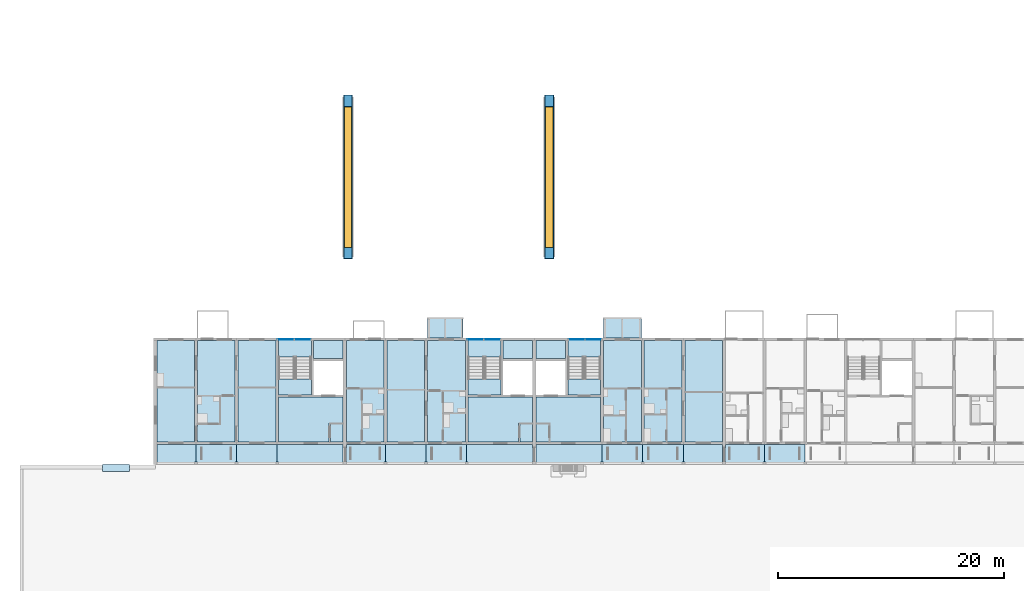
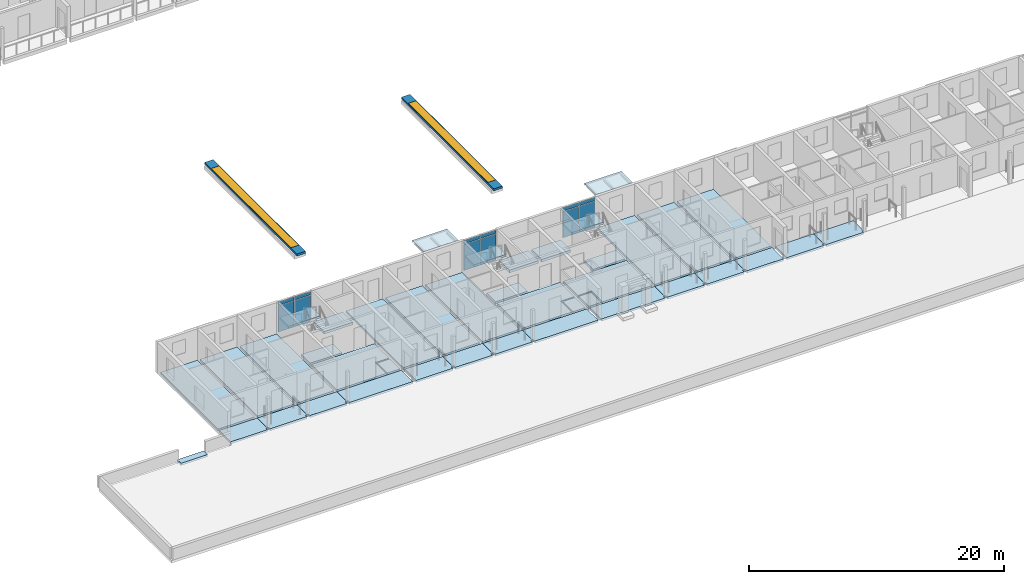
# One storey, part 31 of 115: 43 slabs, 12 plates, 2 windows, 2 openings, 6 elements without a shape of their own.
"""IFC4 building model written with IfcOpenShell, lengths in metres."""

from ifc_helpers import new_model, si_unit, direction, frame, origin, origin_2d, place, context, subcontext, project, spatial, polyline, rectangle, outline, extrude, material, layer, layer_set, type_object, element, fill, aggregate, save


model = new_model("IFC4")

# Units and contexts
model_context = context("Model", 3, precision=1e-05, world=origin(), true_north=direction((0.0, 1.0)))
body_context = subcontext(model_context, "Body", "Model", "MODEL_VIEW")
ifc_project = project(units=[si_unit("LENGTHUNIT", "METRE"), si_unit("AREAUNIT", "SQUARE_METRE"), si_unit("VOLUMEUNIT", "CUBIC_METRE"), si_unit("PLANEANGLEUNIT", "RADIAN"), si_unit("MASSUNIT", "GRAM", prefix="KILO")], contexts=[model_context])

# Site, building, storey
site_placement = place(None, origin())
site = spatial("IfcSite", under=ifc_project, at=site_placement, CompositionType="ELEMENT")
building_placement = place(site_placement, origin())
building = spatial("IfcBuilding", under=site, at=building_placement, Name="Ridgestep Commons", CompositionType="ELEMENT")
storey_placement = place(building_placement, frame((0.0, 0.0, 6.0)))
storey = spatial("IfcBuildingStorey", under=building, at=storey_placement, Name="L02", CompositionType="ELEMENT", Elevation=6.0)

# Slabs
ifc_material_1 = material(Name="Concrete C30/37", Category="concrete")
ifc_layer_1 = layer(ifc_material_1, 0.199951171875)
ifc_layer_set_1 = layer_set([ifc_layer_1], Name="Community stair landing slab 200")
slab_type_1 = type_object("IfcSlabType", Name="Community stair landing slab 200", PredefinedType="LANDING", material=ifc_layer_set_1)
slab_1_placement = place(storey_placement, frame((0.0, 0.0, -0.199951171875)))
element("IfcSlab", 1, at=slab_1_placement, inside=storey, type_object=slab_type_1, Name="Arrival landing", PredefinedType="LANDING", context=body_context, shape_type="SweptSolid", body=[
    extrude(outline(polyline([(7.300048828125, 11.14990234375), (9.699951171875, 11.14990234375), (9.699951171875, 11.75), (7.300048828125, 11.75), (7.300048828125, 11.14990234375)])), origin(), (0.0, 0.0, 1.0), 0.199951171875),
])
ifc_material_2 = material(Name="Precast concrete C40/50", Category="concrete")
ifc_layer_2 = layer(ifc_material_2, 0.199951171875)
ifc_layer_set_2 = layer_set([ifc_layer_2], Name="Gallery slab 200")
slab_type_2 = type_object("IfcSlabType", Name="Gallery slab 200", PredefinedType="FLOOR", material=ifc_layer_set_2)
slab_2_placement = place(storey_placement, frame((0.0, 0.0, -0.199951171875)))
element("IfcSlab", 2, at=slab_2_placement, inside=storey, type_object=slab_type_2, Name="Gallery slab A1 L02", PredefinedType="FLOOR", context=body_context, shape_type="SweptSolid", body=[
    extrude(outline(polyline([(12.14990234375, 11.75), (15.47509765625, 11.75), (15.47509765625, 12.0), (15.60009765625, 12.0), (15.60009765625, 13.550048828125), (12.14990234375, 13.550048828125), (12.14990234375, 11.75)])), origin(), (0.0, 0.0, 1.0), 0.199951171875),
])
slab_3_placement = place(storey_placement, frame((0.0, 0.0, -0.199951171875)))
element("IfcSlab", 3, at=slab_3_placement, inside=storey, type_object=slab_type_2, Name="Gallery slab A1 L02", PredefinedType="FLOOR", context=body_context, shape_type="SweptSolid", body=[
    extrude(outline(polyline([(19.199951171875, 13.550048828125), (15.60009765625, 13.550048828125), (15.60009765625, 12.0), (15.72509765625, 12.0), (15.72509765625, 11.75), (19.074951171875, 11.75), (19.074951171875, 12.0), (19.199951171875, 12.0), (19.199951171875, 13.550048828125)])), origin(), (0.0, 0.0, 1.0), 0.199951171875),
])
slab_4_placement = place(storey_placement, frame((0.0, 0.0, -0.199951171875)))
element("IfcSlab", 4, at=slab_4_placement, inside=storey, type_object=slab_type_2, Name="Gallery slab A1 L02", PredefinedType="FLOOR", context=body_context, shape_type="SweptSolid", body=[
    extrude(outline(polyline([(22.800048828125, 13.550048828125), (19.199951171875, 13.550048828125), (19.199951171875, 12.0), (19.324951171875, 12.0), (19.324951171875, 11.75), (22.675048828125, 11.75), (22.675048828125, 12.0), (22.800048828125, 12.0), (22.800048828125, 13.550048828125)])), origin(), (0.0, 0.0, 1.0), 0.199951171875),
])
slab_5_placement = place(storey_placement, frame((0.0, 0.0, -0.199951171875)))
element("IfcSlab", 5, at=slab_5_placement, inside=storey, type_object=slab_type_2, Name="Gallery slab A1 L02", PredefinedType="FLOOR", context=body_context, shape_type="SweptSolid", body=[
    extrude(outline(polyline([(22.800048828125, 13.550048828125), (22.800048828125, 12.0), (22.925048828125, 12.0), (22.925048828125, 11.75), (28.64990234375, 11.75), (28.64990234375, 13.550048828125), (22.800048828125, 13.550048828125)])), origin(), (0.0, 0.0, 1.0), 0.199951171875),
])
slab_6_placement = place(storey_placement, frame((0.0, 0.0, -0.199951171875)))
element("IfcSlab", 6, at=slab_6_placement, inside=storey, type_object=slab_type_2, Name="Gallery slab A2 L02", PredefinedType="FLOOR", context=body_context, shape_type="SweptSolid", body=[
    extrude(outline(polyline([(28.949951171875, 11.75), (32.27490234375, 11.75), (32.27490234375, 12.0), (32.39990234375, 12.0), (32.39990234375, 13.550048828125), (28.949951171875, 13.550048828125), (28.949951171875, 11.75)])), origin(), (0.0, 0.0, 1.0), 0.199951171875),
])
slab_7_placement = place(storey_placement, frame((0.0, 0.0, -0.199951171875)))
element("IfcSlab", 7, at=slab_7_placement, inside=storey, type_object=slab_type_2, Name="Gallery slab A2 L02", PredefinedType="FLOOR", context=body_context, shape_type="SweptSolid", body=[
    extrude(outline(polyline([(36.0, 13.550048828125), (32.39990234375, 13.550048828125), (32.39990234375, 12.0), (32.52490234375, 12.0), (32.52490234375, 11.75), (35.875, 11.75), (35.875, 12.0), (36.0, 12.0), (36.0, 13.550048828125)])), origin(), (0.0, 0.0, 1.0), 0.199951171875),
])
slab_8_placement = place(storey_placement, frame((0.0, 0.0, -0.199951171875)))
element("IfcSlab", 8, at=slab_8_placement, inside=storey, type_object=slab_type_2, Name="Gallery slab A2 L02", PredefinedType="FLOOR", context=body_context, shape_type="SweptSolid", body=[
    extrude(outline(polyline([(39.60009765625, 13.550048828125), (36.0, 13.550048828125), (36.0, 12.0), (36.125, 12.0), (36.125, 11.75), (39.47509765625, 11.75), (39.47509765625, 12.0), (39.60009765625, 12.0), (39.60009765625, 13.550048828125)])), origin(), (0.0, 0.0, 1.0), 0.199951171875),
])
slab_9_placement = place(storey_placement, frame((0.0, 0.0, -0.199951171875)))
element("IfcSlab", 9, at=slab_9_placement, inside=storey, type_object=slab_type_2, Name="Gallery slab A2 L02", PredefinedType="FLOOR", context=body_context, shape_type="SweptSolid", body=[
    extrude(outline(polyline([(39.60009765625, 13.550048828125), (39.60009765625, 12.0), (39.72509765625, 12.0), (39.72509765625, 11.75), (45.449951171875, 11.75), (45.449951171875, 13.550048828125), (39.60009765625, 13.550048828125)])), origin(), (0.0, 0.0, 1.0), 0.199951171875),
])
slab_10_placement = place(storey_placement, frame((0.0, 0.0, -0.199951171875)))
element("IfcSlab", 10, at=slab_10_placement, inside=storey, type_object=slab_type_2, Name="Gallery slab A3 L02", PredefinedType="FLOOR", context=body_context, shape_type="SweptSolid", body=[
    extrude(outline(polyline([(45.75, 11.75), (51.47509765625, 11.75), (51.47509765625, 12.0), (51.60009765625, 12.0), (51.60009765625, 13.550048828125), (45.75, 13.550048828125), (45.75, 11.75)])), origin(), (0.0, 0.0, 1.0), 0.199951171875),
])
slab_11_placement = place(storey_placement, frame((0.0, 0.0, -0.199951171875)))
element("IfcSlab", 11, at=slab_11_placement, inside=storey, type_object=slab_type_2, Name="Gallery slab A3 L02", PredefinedType="FLOOR", context=body_context, shape_type="SweptSolid", body=[
    extrude(outline(polyline([(55.199951171875, 13.550048828125), (51.60009765625, 13.550048828125), (51.60009765625, 12.0), (51.72509765625, 12.0), (51.72509765625, 11.75), (55.074951171875, 11.75), (55.074951171875, 12.0), (55.199951171875, 12.0), (55.199951171875, 13.550048828125)])), origin(), (0.0, 0.0, 1.0), 0.199951171875),
])
slab_12_placement = place(storey_placement, frame((0.0, 0.0, -0.199951171875)))
element("IfcSlab", 12, at=slab_12_placement, inside=storey, type_object=slab_type_2, Name="Gallery slab A3 L02", PredefinedType="FLOOR", context=body_context, shape_type="SweptSolid", body=[
    extrude(outline(polyline([(58.800048828125, 13.550048828125), (55.199951171875, 13.550048828125), (55.199951171875, 12.0), (55.324951171875, 12.0), (55.324951171875, 11.75), (58.675048828125, 11.75), (58.675048828125, 12.0), (58.800048828125, 12.0), (58.800048828125, 13.550048828125)])), origin(), (0.0, 0.0, 1.0), 0.199951171875),
])
slab_13_placement = place(storey_placement, frame((0.0, 0.0, -0.199951171875)))
element("IfcSlab", 13, at=slab_13_placement, inside=storey, type_object=slab_type_2, Name="Gallery slab A3 L02", PredefinedType="FLOOR", context=body_context, shape_type="SweptSolid", body=[
    extrude(outline(polyline([(58.800048828125, 13.550048828125), (58.800048828125, 12.0), (58.925048828125, 12.0), (58.925048828125, 11.75), (62.25, 11.75), (62.25, 13.550048828125), (58.800048828125, 13.550048828125)])), origin(), (0.0, 0.0, 1.0), 0.199951171875),
])
slab_14_placement = place(storey_placement, frame((0.0, 0.0, -0.199951171875)))
element("IfcSlab", 14, at=slab_14_placement, inside=storey, type_object=slab_type_2, Name="Gallery slab A4 L02", PredefinedType="FLOOR", context=body_context, shape_type="SweptSolid", body=[
    extrude(outline(polyline([(62.550048828125, 11.75), (65.875, 11.75), (65.875, 12.0), (66.0, 12.0), (66.0, 13.550048828125), (62.550048828125, 13.550048828125), (62.550048828125, 11.75)])), origin(), (0.0, 0.0, 1.0), 0.199951171875),
])
slab_15_placement = place(storey_placement, frame((0.0, 0.0, -0.199951171875)))
element("IfcSlab", 15, at=slab_15_placement, inside=storey, type_object=slab_type_2, Name="Gallery slab A4 L02", PredefinedType="FLOOR", context=body_context, shape_type="SweptSolid", body=[
    extrude(outline(polyline([(69.60009765625, 13.550048828125), (66.0, 13.550048828125), (66.0, 12.0), (66.125, 12.0), (66.125, 11.75), (69.47509765625, 11.75), (69.47509765625, 12.0), (69.60009765625, 12.0), (69.60009765625, 13.550048828125)])), origin(), (0.0, 0.0, 1.0), 0.199951171875),
])

# Curtain wall, plates
ifc_material_3 = material(Name="Aluminium 6063-T6 and glass", Category="aluminium")
curtain_wall_type = type_object("IfcCurtainWallType", Name="Curtain wall stair strip", PredefinedType="NOTDEFINED", material=ifc_material_3)
curtain_wall_1_placement = place(storey_placement, origin())
curtain_wall_1 = element("IfcCurtainWall", 16, at=curtain_wall_1_placement, inside=storey, type_object=curtain_wall_type, Name="Curtain wall A1C level 02", PredefinedType="NOTDEFINED")
ifc_material_4 = material(Name="Glass laminated 6/16/6 low-emissivity", Category="glass")
ifc_layer_3 = layer(ifc_material_4, 0.028076171875)
ifc_layer_set_3 = layer_set([ifc_layer_3], Name="Glazing panel 28")
plate_type_1 = type_object("IfcPlateType", Name="Glazing panel 28", PredefinedType="CURTAIN_PANEL", material=ifc_layer_set_3)
plate_1_placement = place(storey_placement, frame((23.5712890625, 22.830078125, 0.06005859375), z_axis=(0.0, 0.0, 1.0), x_axis=(1.0, 0.0, 0.0)))
plate_1 = element("IfcPlate", 17, at=plate_1_placement, type_object=plate_type_1, Name="CW1 panel 1.1", PredefinedType="CURTAIN_PANEL", context=body_context, shape_type="SweptSolid", body=[
    extrude(rectangle(XDim=1.422607421875, YDim=0.028076171875, at=origin_2d()), origin(), (0.0, 0.0, 1.0), 2.5),
])
plate_2_placement = place(storey_placement, frame((25.0537109375, 22.830078125, 0.06005859375), z_axis=(0.0, 0.0, 1.0), x_axis=(1.0, 0.0, 0.0)))
plate_2 = element("IfcPlate", 18, at=plate_2_placement, type_object=plate_type_1, Name="CW1 panel 2.1", PredefinedType="CURTAIN_PANEL", context=body_context, shape_type="SweptSolid", body=[
    extrude(rectangle(XDim=1.422607421875, YDim=0.028076171875, at=origin_2d()), origin(), (0.0, 0.0, 1.0), 2.5),
])

curtain_wall_2_placement = place(storey_placement, origin())
curtain_wall_2 = element("IfcCurtainWall", 19, at=curtain_wall_2_placement, inside=storey, type_object=curtain_wall_type, Name="Curtain wall A2C level 02", PredefinedType="NOTDEFINED")
plate_3_placement = place(storey_placement, frame((40.371337890625, 22.830078125, 0.06005859375), z_axis=(0.0, 0.0, 1.0), x_axis=(1.0, 0.0, 0.0)))
plate_3 = element("IfcPlate", 20, at=plate_3_placement, type_object=plate_type_1, Name="CW1 panel 1.1", PredefinedType="CURTAIN_PANEL", context=body_context, shape_type="SweptSolid", body=[
    extrude(rectangle(XDim=1.422607421875, YDim=0.028076171875, at=origin_2d()), origin(), (0.0, 0.0, 1.0), 2.5),
])
plate_4_placement = place(storey_placement, frame((41.853759765625, 22.830078125, 0.06005859375), z_axis=(0.0, 0.0, 1.0), x_axis=(1.0, 0.0, 0.0)))
plate_4 = element("IfcPlate", 21, at=plate_4_placement, type_object=plate_type_1, Name="CW1 panel 2.1", PredefinedType="CURTAIN_PANEL", context=body_context, shape_type="SweptSolid", body=[
    extrude(rectangle(XDim=1.422607421875, YDim=0.028076171875, at=origin_2d()), origin(), (0.0, 0.0, 1.0), 2.5),
])

curtain_wall_3_placement = place(storey_placement, origin())
curtain_wall_3 = element("IfcCurtainWall", 22, at=curtain_wall_3_placement, inside=storey, type_object=curtain_wall_type, Name="Curtain wall A3C level 02", PredefinedType="NOTDEFINED")
plate_5_placement = place(storey_placement, frame((49.34619140625, 22.830078125, 0.06005859375), z_axis=(0.0, 0.0, 1.0), x_axis=(1.0, 0.0, 0.0)))
plate_5 = element("IfcPlate", 23, at=plate_5_placement, type_object=plate_type_1, Name="CW1 panel 1.1", PredefinedType="CURTAIN_PANEL", context=body_context, shape_type="SweptSolid", body=[
    extrude(rectangle(XDim=1.422607421875, YDim=0.028076171875, at=origin_2d()), origin(), (0.0, 0.0, 1.0), 2.5),
])
plate_6_placement = place(storey_placement, frame((50.828857421875, 22.830078125, 0.06005859375), z_axis=(0.0, 0.0, 1.0), x_axis=(1.0, 0.0, 0.0)))
plate_6 = element("IfcPlate", 24, at=plate_6_placement, type_object=plate_type_1, Name="CW1 panel 2.1", PredefinedType="CURTAIN_PANEL", context=body_context, shape_type="SweptSolid", body=[
    extrude(rectangle(XDim=1.422607421875, YDim=0.028076171875, at=origin_2d()), origin(), (0.0, 0.0, 1.0), 2.5),
])

# Slabs
ifc_material_5 = material(Name="Precast concrete C50/60", Category="concrete")
ifc_layer_4 = layer(ifc_material_5, 0.199951171875)
ifc_layer_set_4 = layer_set([ifc_layer_4], Name="Hollow-core plank 200")
slab_type_3 = type_object("IfcSlabType", Name="Hollow-core plank 200", PredefinedType="FLOOR", material=ifc_layer_set_4)
slab_16_placement = place(storey_placement, frame((0.0, 0.0, -0.199951171875)))
element("IfcSlab", 25, at=slab_16_placement, inside=storey, type_object=slab_type_3, Name="Floor plank A1T1 L02", PredefinedType="FLOOR", context=body_context, shape_type="SweptSolid", body=[
    extrude(outline(polyline([(15.47509765625, 13.75), (15.47509765625, 22.75), (12.14990234375, 22.75), (12.14990234375, 13.75), (15.47509765625, 13.75)])), origin(), (0.0, 0.0, 1.0), 0.199951171875),
])
slab_17_placement = place(storey_placement, frame((0.0, 0.0, -0.199951171875)))
element("IfcSlab", 26, at=slab_17_placement, inside=storey, type_object=slab_type_3, Name="Floor plank A1T2 L02", PredefinedType="FLOOR", context=body_context, shape_type="SweptSolid", body=[
    extrude(outline(polyline([(19.074951171875, 13.75), (19.074951171875, 22.75), (15.72509765625, 22.75), (15.72509765625, 13.75), (19.074951171875, 13.75)])), origin(), (0.0, 0.0, 1.0), 0.199951171875),
])
slab_18_placement = place(storey_placement, frame((0.0, 0.0, -0.199951171875)))
element("IfcSlab", 27, at=slab_18_placement, inside=storey, type_object=slab_type_3, Name="Floor plank A1T3 L02", PredefinedType="FLOOR", context=body_context, shape_type="SweptSolid", body=[
    extrude(outline(polyline([(22.675048828125, 13.75), (22.675048828125, 22.75), (19.324951171875, 22.75), (19.324951171875, 13.75), (22.675048828125, 13.75)])), origin(), (0.0, 0.0, 1.0), 0.199951171875),
])
slab_19_placement = place(storey_placement, frame((0.0, 0.0, -0.199951171875)))
element("IfcSlab", 28, at=slab_19_placement, inside=storey, type_object=slab_type_3, Name="Floor plank A2T1 L02", PredefinedType="FLOOR", context=body_context, shape_type="SweptSolid", body=[
    extrude(outline(polyline([(32.27490234375, 13.75), (32.27490234375, 22.75), (28.949951171875, 22.75), (28.949951171875, 13.75), (32.27490234375, 13.75)])), origin(), (0.0, 0.0, 1.0), 0.199951171875),
])
slab_20_placement = place(storey_placement, frame((0.0, 0.0, -0.199951171875)))
element("IfcSlab", 29, at=slab_20_placement, inside=storey, type_object=slab_type_3, Name="Floor plank A2T2 L02", PredefinedType="FLOOR", context=body_context, shape_type="SweptSolid", body=[
    extrude(outline(polyline([(35.875, 13.75), (35.875, 22.75), (32.52490234375, 22.75), (32.52490234375, 13.75), (35.875, 13.75)])), origin(), (0.0, 0.0, 1.0), 0.199951171875),
])
slab_21_placement = place(storey_placement, frame((0.0, 0.0, -0.199951171875)))
element("IfcSlab", 30, at=slab_21_placement, inside=storey, type_object=slab_type_3, Name="Floor plank A2T3 L02", PredefinedType="FLOOR", context=body_context, shape_type="SweptSolid", body=[
    extrude(outline(polyline([(39.47509765625, 13.75), (39.47509765625, 22.75), (36.125, 22.75), (36.125, 13.75), (39.47509765625, 13.75)])), origin(), (0.0, 0.0, 1.0), 0.199951171875),
])
slab_22_placement = place(storey_placement, frame((0.0, 0.0, -0.199951171875)))
element("IfcSlab", 31, at=slab_22_placement, inside=storey, type_object=slab_type_3, Name="Floor plank A3T3 L02", PredefinedType="FLOOR", context=body_context, shape_type="SweptSolid", body=[
    extrude(outline(polyline([(55.074951171875, 13.75), (55.074951171875, 22.75), (51.72509765625, 22.75), (51.72509765625, 13.75), (55.074951171875, 13.75)])), origin(), (0.0, 0.0, 1.0), 0.199951171875),
])
slab_23_placement = place(storey_placement, frame((0.0, 0.0, -0.199951171875)))
element("IfcSlab", 32, at=slab_23_placement, inside=storey, type_object=slab_type_3, Name="Floor plank A3T2 L02", PredefinedType="FLOOR", context=body_context, shape_type="SweptSolid", body=[
    extrude(outline(polyline([(58.675048828125, 13.75), (58.675048828125, 22.75), (55.324951171875, 22.75), (55.324951171875, 13.75), (58.675048828125, 13.75)])), origin(), (0.0, 0.0, 1.0), 0.199951171875),
])
slab_24_placement = place(storey_placement, frame((0.0, 0.0, -0.199951171875)))
element("IfcSlab", 33, at=slab_24_placement, inside=storey, type_object=slab_type_3, Name="Floor plank A3T1 L02", PredefinedType="FLOOR", context=body_context, shape_type="SweptSolid", body=[
    extrude(outline(polyline([(62.25, 13.75), (62.25, 22.75), (58.925048828125, 22.75), (58.925048828125, 13.75), (62.25, 13.75)])), origin(), (0.0, 0.0, 1.0), 0.199951171875),
])
ifc_material_6 = material(Name="Precast concrete C50/60", Category="concrete")
ifc_layer_5 = layer(ifc_material_6, 0.25)
ifc_layer_set_5 = layer_set([ifc_layer_5], Name="Hollow-core plank 250")
slab_type_4 = type_object("IfcSlabType", Name="Hollow-core plank 250", PredefinedType="FLOOR", material=ifc_layer_set_5)
slab_25_placement = place(storey_placement, frame((0.0, 0.0, -0.25)))
element("IfcSlab", 34, at=slab_25_placement, inside=storey, type_object=slab_type_4, Name="Floor plank A1C L02", PredefinedType="FLOOR", context=body_context, shape_type="SweptSolid", body=[
    extrude(outline(polyline([(27.52001953125, 15.469970703125), (28.64990234375, 15.469970703125), (28.64990234375, 17.75), (22.925048828125, 17.75), (22.925048828125, 13.75), (27.39990234375, 13.75), (27.39990234375, 15.469970703125), (27.52001953125, 15.469970703125)])), origin(), (0.0, 0.0, 1.0), 0.25),
])
slab_26_placement = place(storey_placement, frame((0.0, 0.0, -0.25)))
element("IfcSlab", 35, at=slab_26_placement, inside=storey, type_object=slab_type_4, Name="Floor plank A1C L02", PredefinedType="FLOOR", context=body_context, shape_type="SweptSolid", body=[
    extrude(outline(polyline([(28.64990234375, 21.14990234375), (28.64990234375, 22.75), (26.02490234375, 22.75), (26.02490234375, 21.14990234375), (28.64990234375, 21.14990234375)])), origin(), (0.0, 0.0, 1.0), 0.25),
])
slab_27_placement = place(storey_placement, frame((0.0, 0.0, -0.25)))
element("IfcSlab", 36, at=slab_27_placement, inside=storey, type_object=slab_type_4, Name="Floor plank A1C L02", PredefinedType="FLOOR", context=body_context, shape_type="SweptSolid", body=[
    extrude(outline(polyline([(25.824951171875, 17.949951171875), (25.824951171875, 19.35009765625), (22.925048828125, 19.35009765625), (22.925048828125, 17.949951171875), (25.824951171875, 17.949951171875)])), origin(), (0.0, 0.0, 1.0), 0.25),
])
slab_28_placement = place(storey_placement, frame((0.0, 0.0, -0.25)))
element("IfcSlab", 37, at=slab_28_placement, inside=storey, type_object=slab_type_4, Name="Floor plank A1C L02", PredefinedType="FLOOR", context=body_context, shape_type="SweptSolid", body=[
    extrude(outline(polyline([(27.52001953125, 13.75), (28.64990234375, 13.75), (28.64990234375, 15.35009765625), (27.52001953125, 15.35009765625), (27.52001953125, 13.75)])), origin(), (0.0, 0.0, 1.0), 0.25),
])
slab_29_placement = place(storey_placement, frame((0.0, 0.0, -0.25)))
element("IfcSlab", 38, at=slab_29_placement, inside=storey, type_object=slab_type_4, Name="Floor plank A2C L02", PredefinedType="FLOOR", context=body_context, shape_type="SweptSolid", body=[
    extrude(outline(polyline([(44.320068359375, 15.469970703125), (45.449951171875, 15.469970703125), (45.449951171875, 17.75), (39.72509765625, 17.75), (39.72509765625, 13.75), (44.199951171875, 13.75), (44.199951171875, 15.469970703125), (44.320068359375, 15.469970703125)])), origin(), (0.0, 0.0, 1.0), 0.25),
])
slab_30_placement = place(storey_placement, frame((0.0, 0.0, -0.25)))
element("IfcSlab", 39, at=slab_30_placement, inside=storey, type_object=slab_type_4, Name="Floor plank A2C L02", PredefinedType="FLOOR", context=body_context, shape_type="SweptSolid", body=[
    extrude(outline(polyline([(45.449951171875, 21.14990234375), (45.449951171875, 22.75), (42.824951171875, 22.75), (42.824951171875, 21.14990234375), (45.449951171875, 21.14990234375)])), origin(), (0.0, 0.0, 1.0), 0.25),
])
slab_31_placement = place(storey_placement, frame((0.0, 0.0, -0.25)))
element("IfcSlab", 40, at=slab_31_placement, inside=storey, type_object=slab_type_4, Name="Floor plank A2C L02", PredefinedType="FLOOR", context=body_context, shape_type="SweptSolid", body=[
    extrude(outline(polyline([(42.625, 17.949951171875), (42.625, 19.35009765625), (39.72509765625, 19.35009765625), (39.72509765625, 17.949951171875), (42.625, 17.949951171875)])), origin(), (0.0, 0.0, 1.0), 0.25),
])
slab_32_placement = place(storey_placement, frame((0.0, 0.0, -0.25)))
element("IfcSlab", 41, at=slab_32_placement, inside=storey, type_object=slab_type_4, Name="Floor plank A2C L02", PredefinedType="FLOOR", context=body_context, shape_type="SweptSolid", body=[
    extrude(outline(polyline([(44.320068359375, 13.75), (45.449951171875, 13.75), (45.449951171875, 15.35009765625), (44.320068359375, 15.35009765625), (44.320068359375, 13.75)])), origin(), (0.0, 0.0, 1.0), 0.25),
])
slab_33_placement = place(storey_placement, frame((0.0, 0.0, -0.25)))
element("IfcSlab", 42, at=slab_33_placement, inside=storey, type_object=slab_type_4, Name="Floor plank A3C L02", PredefinedType="FLOOR", context=body_context, shape_type="SweptSolid", body=[
    extrude(outline(polyline([(47.0, 13.75), (51.47509765625, 13.75), (51.47509765625, 17.75), (45.75, 17.75), (45.75, 15.469970703125), (46.8798828125, 15.469970703125), (47.0, 15.469970703125), (47.0, 13.75)])), origin(), (0.0, 0.0, 1.0), 0.25),
])
slab_34_placement = place(storey_placement, frame((0.0, 0.0, -0.25)))
element("IfcSlab", 43, at=slab_34_placement, inside=storey, type_object=slab_type_4, Name="Floor plank A3C L02", PredefinedType="FLOOR", context=body_context, shape_type="SweptSolid", body=[
    extrude(outline(polyline([(48.375, 22.75), (45.75, 22.75), (45.75, 21.14990234375), (48.375, 21.14990234375), (48.375, 22.75)])), origin(), (0.0, 0.0, 1.0), 0.25),
])
slab_35_placement = place(storey_placement, frame((0.0, 0.0, -0.25)))
element("IfcSlab", 44, at=slab_35_placement, inside=storey, type_object=slab_type_4, Name="Floor plank A3C L02", PredefinedType="FLOOR", context=body_context, shape_type="SweptSolid", body=[
    extrude(outline(polyline([(51.47509765625, 17.949951171875), (51.47509765625, 19.35009765625), (48.574951171875, 19.35009765625), (48.574951171875, 17.949951171875), (51.47509765625, 17.949951171875)])), origin(), (0.0, 0.0, 1.0), 0.25),
])
slab_36_placement = place(storey_placement, frame((0.0, 0.0, -0.25)))
element("IfcSlab", 45, at=slab_36_placement, inside=storey, type_object=slab_type_4, Name="Floor plank A3C L02", PredefinedType="FLOOR", context=body_context, shape_type="SweptSolid", body=[
    extrude(outline(polyline([(46.8798828125, 15.35009765625), (45.75, 15.35009765625), (45.75, 13.75), (46.8798828125, 13.75), (46.8798828125, 15.35009765625)])), origin(), (0.0, 0.0, 1.0), 0.25),
])

# Slab, opening, window
ifc_material_7 = material(Name="Precast concrete C50/60", Category="concrete")
ifc_layer_6 = layer(ifc_material_7, 0.199951171875)
ifc_layer_set_6 = layer_set([ifc_layer_6], Name="Nursery ridge strip 200")
slab_type_5 = type_object("IfcSlabType", Name="Nursery ridge strip 200", PredefinedType="ROOF", material=ifc_layer_set_6)
slab_37_placement = place(storey_placement, frame((0.0, 0.0, 0.9287109375)))
slab_37 = element("IfcSlab", 46, at=slab_37_placement, inside=storey, type_object=slab_type_5, Name="Nursery ridge strip", PredefinedType="ROOF", context=body_context, shape_type="SweptSolid", body=[
    extrude(outline(polyline([(28.68505859375, 30.0), (29.465087890625, 30.0), (29.465087890625, 44.5), (28.68505859375, 44.5), (28.68505859375, 30.0)])), origin(), (0.0, 0.0, 1.0), 0.199951171875),
])
opening_1_placement = place(slab_37_placement, frame((29.074951171875, 37.25, 0.0)))
opening_1 = element("IfcOpeningElement", 47, at=opening_1_placement, cuts=slab_37, Name="Opening RL3", PredefinedType="OPENING", context=body_context, shape_type="SweptSolid", body=[
    extrude(rectangle(XDim=0.699951171875, YDim=12.5, at=origin_2d()), origin(), (0.0, 0.0, 1.0), 0.199951171875),
])
ifc_material_8 = material(Name="Aluminium and glass", Category="aluminium")
window_type = type_object("IfcWindowType", Name="Nursery ridge lantern 700 x 12500", PartitioningType="SINGLE_PANEL", PredefinedType="SKYLIGHT", material=ifc_material_8)
window_1_placement = place(opening_1_placement, frame((0.0, 0.0, 0.14990234375)))
window_1 = element("IfcWindow", 48, at=window_1_placement, inside=storey, type_object=window_type, Name="Nursery ridge lantern", OverallHeight=12.5, OverallWidth=0.699951171875, PartitioningType="SINGLE_PANEL", PredefinedType="SKYLIGHT", context=body_context, shape_type="SweptSolid", body=[
    extrude(rectangle(XDim=0.699951171875, YDim=12.5, at=origin_2d()), origin(), (0.0, 0.0, 1.0), 0.050048828125),
])
fill(opening_1, window_1)

slab_38_placement = place(storey_placement, frame((0.0, 0.0, 0.9287109375)))
slab_38 = element("IfcSlab", 49, at=slab_38_placement, inside=storey, type_object=slab_type_5, Name="Nursery ridge strip", PredefinedType="ROOF", context=body_context, shape_type="SweptSolid", body=[
    extrude(outline(polyline([(46.534912109375, 30.0), (47.31494140625, 30.0), (47.31494140625, 44.5), (46.534912109375, 44.5), (46.534912109375, 30.0)])), origin(), (0.0, 0.0, 1.0), 0.199951171875),
])
opening_2_placement = place(slab_38_placement, frame((46.925048828125, 37.25, 0.0)))
opening_2 = element("IfcOpeningElement", 50, at=opening_2_placement, cuts=slab_38, Name="Opening RL3", PredefinedType="OPENING", context=body_context, shape_type="SweptSolid", body=[
    extrude(rectangle(XDim=0.699951171875, YDim=12.5, at=origin_2d()), origin(), (0.0, 0.0, 1.0), 0.199951171875),
])
window_2_placement = place(opening_2_placement, frame((0.0, 0.0, 0.14990234375)))
window_2 = element("IfcWindow", 51, at=window_2_placement, inside=storey, type_object=window_type, Name="Nursery ridge lantern", OverallHeight=12.5, OverallWidth=0.699951171875, PartitioningType="SINGLE_PANEL", PredefinedType="SKYLIGHT", context=body_context, shape_type="SweptSolid", body=[
    extrude(rectangle(XDim=0.699951171875, YDim=12.5, at=origin_2d()), origin(), (0.0, 0.0, 1.0), 0.050048828125),
])
fill(opening_2, window_2)

# Plate
ifc_material_9 = material(Name="Aluminium 6063-T6 and mineral wool", Category="aluminium")
ifc_layer_7 = layer(ifc_material_9, 0.0400390625)
ifc_layer_set_7 = layer_set([ifc_layer_7], Name="Spandrel panel 40")
plate_type_2 = type_object("IfcPlateType", Name="Spandrel panel 40", PredefinedType="CURTAIN_PANEL", material=ifc_layer_set_7)
plate_7_placement = place(storey_placement, frame((23.5712890625, 22.830078125, 2.6201171875), z_axis=(0.0, 0.0, 1.0), x_axis=(1.0, 0.0, 0.0)))
plate_7 = element("IfcPlate", 52, at=plate_7_placement, type_object=plate_type_2, Name="CW1 panel 1.2", PredefinedType="CURTAIN_PANEL", context=body_context, shape_type="SweptSolid", body=[
    extrude(rectangle(XDim=1.422607421875, YDim=0.0400390625, at=origin_2d()), origin(), (0.0, 0.0, 1.0), 0.320068359375),
])

plate_8_placement = place(storey_placement, frame((25.0537109375, 22.830078125, 2.6201171875), z_axis=(0.0, 0.0, 1.0), x_axis=(1.0, 0.0, 0.0)))
plate_8 = element("IfcPlate", 53, at=plate_8_placement, type_object=plate_type_2, Name="CW1 panel 2.2", PredefinedType="CURTAIN_PANEL", context=body_context, shape_type="SweptSolid", body=[
    extrude(rectangle(XDim=1.422607421875, YDim=0.0400390625, at=origin_2d()), origin(), (0.0, 0.0, 1.0), 0.320068359375),
])

aggregate(curtain_wall_1, [plate_1, plate_7, plate_2, plate_8])

plate_9_placement = place(storey_placement, frame((40.371337890625, 22.830078125, 2.6201171875), z_axis=(0.0, 0.0, 1.0), x_axis=(1.0, 0.0, 0.0)))
plate_9 = element("IfcPlate", 54, at=plate_9_placement, type_object=plate_type_2, Name="CW1 panel 1.2", PredefinedType="CURTAIN_PANEL", context=body_context, shape_type="SweptSolid", body=[
    extrude(rectangle(XDim=1.422607421875, YDim=0.0400390625, at=origin_2d()), origin(), (0.0, 0.0, 1.0), 0.320068359375),
])

plate_10_placement = place(storey_placement, frame((41.853759765625, 22.830078125, 2.6201171875), z_axis=(0.0, 0.0, 1.0), x_axis=(1.0, 0.0, 0.0)))
plate_10 = element("IfcPlate", 55, at=plate_10_placement, type_object=plate_type_2, Name="CW1 panel 2.2", PredefinedType="CURTAIN_PANEL", context=body_context, shape_type="SweptSolid", body=[
    extrude(rectangle(XDim=1.422607421875, YDim=0.0400390625, at=origin_2d()), origin(), (0.0, 0.0, 1.0), 0.320068359375),
])

aggregate(curtain_wall_2, [plate_3, plate_9, plate_4, plate_10])

plate_11_placement = place(storey_placement, frame((49.34619140625, 22.830078125, 2.6201171875), z_axis=(0.0, 0.0, 1.0), x_axis=(1.0, 0.0, 0.0)))
plate_11 = element("IfcPlate", 56, at=plate_11_placement, type_object=plate_type_2, Name="CW1 panel 1.2", PredefinedType="CURTAIN_PANEL", context=body_context, shape_type="SweptSolid", body=[
    extrude(rectangle(XDim=1.422607421875, YDim=0.0400390625, at=origin_2d()), origin(), (0.0, 0.0, 1.0), 0.320068359375),
])

plate_12_placement = place(storey_placement, frame((50.828857421875, 22.830078125, 2.6201171875), z_axis=(0.0, 0.0, 1.0), x_axis=(1.0, 0.0, 0.0)))
plate_12 = element("IfcPlate", 57, at=plate_12_placement, type_object=plate_type_2, Name="CW1 panel 2.2", PredefinedType="CURTAIN_PANEL", context=body_context, shape_type="SweptSolid", body=[
    extrude(rectangle(XDim=1.422607421875, YDim=0.0400390625, at=origin_2d()), origin(), (0.0, 0.0, 1.0), 0.320068359375),
])

aggregate(curtain_wall_3, [plate_5, plate_11, plate_6, plate_12])

# Stair, slab
ifc_material_10 = material(Name="Precast concrete C40/50", Category="concrete")
stair_type = type_object("IfcStairType", Name="Escape stair 1400", PredefinedType="HALF_TURN_STAIR", material=ifc_material_10)
stair_1_placement = place(storey_placement, origin())
stair_1 = element("IfcStair", 58, at=stair_1_placement, inside=storey, type_object=stair_type, Name="L02 Escape stair A1C", PredefinedType="HALF_TURN_STAIR")
ifc_material_11 = material(Name="Precast concrete C40/50", Category="concrete")
ifc_layer_8 = layer(ifc_material_11, 0.199951171875)
ifc_layer_set_8 = layer_set([ifc_layer_8], Name="Stair landing 200")
slab_type_6 = type_object("IfcSlabType", Name="Stair landing 200", PredefinedType="LANDING", material=ifc_layer_set_8)
slab_39_placement = place(storey_placement, frame((0.0, 0.0, 1.300048828125)))
slab_39 = element("IfcSlab", 59, at=slab_39_placement, type_object=slab_type_6, Name="A1C landing 1", PredefinedType="LANDING", context=body_context, shape_type="SweptSolid", body=[
    extrude(outline(polyline([(25.824951171875, 21.31005859375), (25.824951171875, 22.75), (22.925048828125, 22.75), (22.925048828125, 21.31005859375), (25.824951171875, 21.31005859375)])), origin(), (0.0, 0.0, 1.0), 0.199951171875),
])
aggregate(stair_1, [slab_39])

stair_2_placement = place(storey_placement, origin())
stair_2 = element("IfcStair", 60, at=stair_2_placement, inside=storey, type_object=stair_type, Name="L02 Escape stair A2C", PredefinedType="HALF_TURN_STAIR")
slab_40_placement = place(storey_placement, frame((0.0, 0.0, 1.300048828125)))
slab_40 = element("IfcSlab", 61, at=slab_40_placement, type_object=slab_type_6, Name="A2C landing 1", PredefinedType="LANDING", context=body_context, shape_type="SweptSolid", body=[
    extrude(outline(polyline([(42.625, 21.31005859375), (42.625, 22.75), (39.72509765625, 22.75), (39.72509765625, 21.31005859375), (42.625, 21.31005859375)])), origin(), (0.0, 0.0, 1.0), 0.199951171875),
])
aggregate(stair_2, [slab_40])

stair_3_placement = place(storey_placement, origin())
stair_3 = element("IfcStair", 62, at=stair_3_placement, inside=storey, type_object=stair_type, Name="L02 Escape stair A3C", PredefinedType="HALF_TURN_STAIR")
slab_41_placement = place(storey_placement, frame((0.0, 0.0, 1.300048828125)))
slab_41 = element("IfcSlab", 63, at=slab_41_placement, type_object=slab_type_6, Name="A3C landing 1", PredefinedType="LANDING", context=body_context, shape_type="SweptSolid", body=[
    extrude(outline(polyline([(51.47509765625, 21.31005859375), (51.47509765625, 22.75), (48.574951171875, 22.75), (48.574951171875, 21.31005859375), (51.47509765625, 21.31005859375)])), origin(), (0.0, 0.0, 1.0), 0.199951171875),
])
aggregate(stair_3, [slab_41])

# Slabs
ifc_material_12 = material(Name="Weathering steel S355J2W", Category="steel")
ifc_layer_9 = layer(ifc_material_12, 0.010009765625)
ifc_layer_set_9 = layer_set([ifc_layer_9], Name="Tray 3.2 x 1.8")
slab_type_7 = type_object("IfcSlabType", Name="Tray 3.2 x 1.8", PredefinedType="FLOOR", material=ifc_layer_set_9)
slab_42_placement = place(storey_placement, frame((0.0, 0.0, 2.989990234375)))
element("IfcSlab", 64, at=slab_42_placement, inside=storey, type_object=slab_type_7, Name="Tray deck A2T3-03", PredefinedType="FLOOR", context=body_context, shape_type="SweptSolid", body=[
    extrude(outline(polyline([(36.1298828125, 23.0), (39.27001953125, 23.0), (39.27001953125, 24.800048828125), (36.1298828125, 24.800048828125), (36.1298828125, 23.0)])), origin(), (0.0, 0.0, 1.0), 0.010009765625),
])
ifc_material_13 = material(Name="Weathering steel S355J2W", Category="steel")
ifc_layer_10 = layer(ifc_material_13, 0.010009765625)
ifc_layer_set_10 = layer_set([ifc_layer_10], Name="Tray 3.4 x 1.8")
slab_type_8 = type_object("IfcSlabType", Name="Tray 3.4 x 1.8", PredefinedType="FLOOR", material=ifc_layer_set_10)
slab_43_placement = place(storey_placement, frame((0.0, 0.0, 2.989990234375)))
element("IfcSlab", 65, at=slab_43_placement, inside=storey, type_object=slab_type_8, Name="Tray deck A3T3-03", PredefinedType="FLOOR", context=body_context, shape_type="SweptSolid", body=[
    extrude(outline(polyline([(51.72998046875, 23.0), (55.070068359375, 23.0), (55.070068359375, 24.800048828125), (51.72998046875, 24.800048828125), (51.72998046875, 23.0)])), origin(), (0.0, 0.0, 1.0), 0.010009765625),
])

save(model, "model.ifc")
